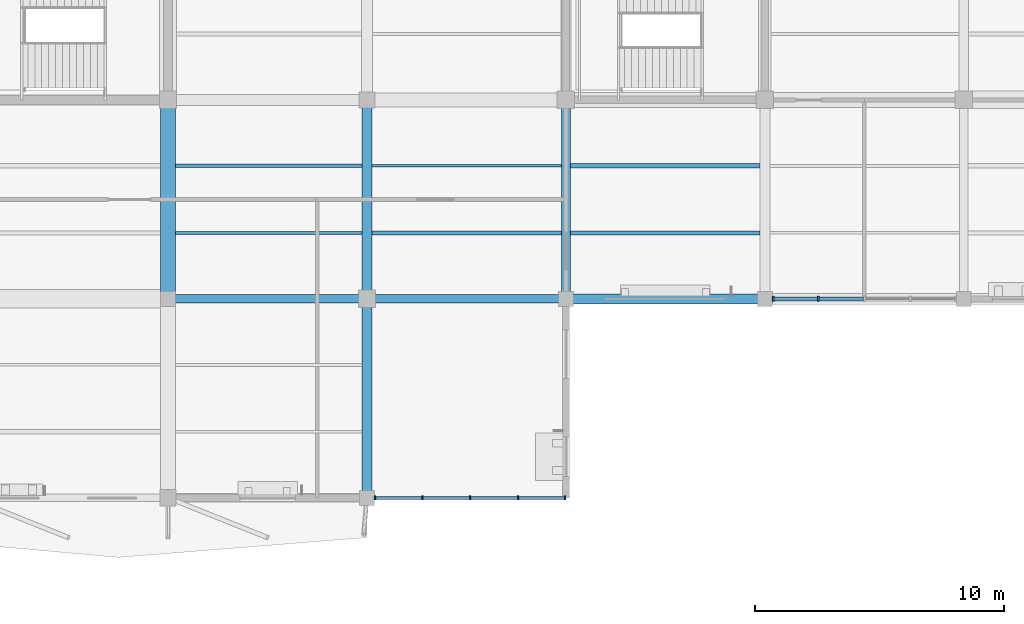
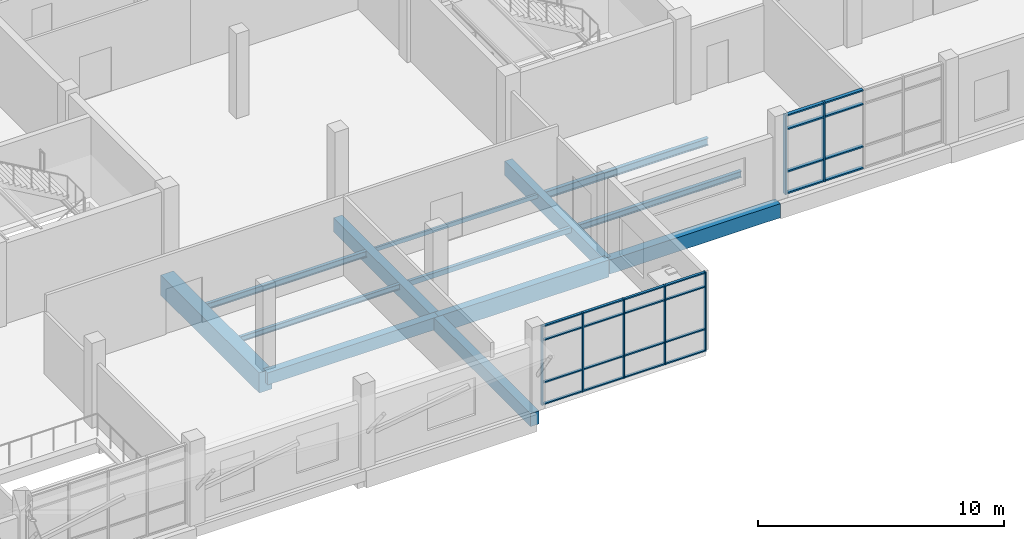
# One storey, part 29 of 84: 31 members, 13 beams, 2 elements without a shape of their own.
"""IFC4 building model written with IfcOpenShell, lengths in metres."""

from ifc_helpers import new_model, si_unit, direction, frame, origin, origin_2d, place, context, subcontext, project, spatial, rectangle, hollow_rectangle, i_section, extrude, material, material_profile, profile_set, type_object, element, aggregate, save


model = new_model("IFC4")

# Units and contexts
model_context = context("Model", 3, precision=1e-05, world=origin(), true_north=direction((0.0, 1.0)))
body_context = subcontext(model_context, "Body", "Model", "MODEL_VIEW")
ifc_project = project(units=[si_unit("LENGTHUNIT", "METRE"), si_unit("AREAUNIT", "SQUARE_METRE"), si_unit("VOLUMEUNIT", "CUBIC_METRE"), si_unit("PLANEANGLEUNIT", "RADIAN"), si_unit("MASSUNIT", "GRAM", prefix="KILO")], contexts=[model_context])

# Site, building, storey
site_placement = place(None, origin())
site = spatial("IfcSite", under=ifc_project, at=site_placement, CompositionType="ELEMENT")
building_placement = place(site_placement, origin())
building = spatial("IfcBuilding", under=site, at=building_placement, Name="Tenunan Teduh Sports Hall", CompositionType="ELEMENT")
storey_placement = place(building_placement, frame((0.0, 0.0, 10.800048828125)))
storey = spatial("IfcBuildingStorey", under=building, at=storey_placement, Name="L02", CompositionType="ELEMENT", Elevation=10.800048828125)

# Beams
ifc_material_1 = material(Name="Concrete C40/50", Category="concrete")
ifc_material_profile_1 = material_profile(ifc_material_1, rectangle(XDim=0.35009765625, YDim=0.60009765625, at=origin_2d()), Name="RCB 350x600")
ifc_profile_set_1 = profile_set([ifc_material_profile_1], Name="Concrete C40/50")
beam_type_1 = type_object("IfcBeamType", Name="BM-RC-350x600", PredefinedType="BEAM", material=ifc_profile_set_1)
beam_1_placement = place(storey_placement, frame((38.0, 86.0, -0.56005859375), z_axis=(1.0, 0.0, 0.0), x_axis=(0.0, 1.0, 0.0)))
element("IfcBeam", 1, at=beam_1_placement, inside=storey, type_object=beam_type_1, Name="BM-B-04-L02-1495", PredefinedType="BEAM", context=body_context, shape_type="SweptSolid", body=[
    extrude(rectangle(XDim=0.35009765625, YDim=0.60009765625, at=origin_2d()), origin(), (0.0, 0.0, 1.0), 8.0),
])
ifc_material_2 = material(Name="Concrete C40/50", Category="concrete")
ifc_material_profile_2 = material_profile(ifc_material_2, rectangle(XDim=0.39990234375, YDim=0.64990234375, at=origin_2d()), Name="RCB 400x650")
ifc_profile_set_2 = profile_set([ifc_material_profile_2], Name="Concrete C40/50")
beam_type_2 = type_object("IfcBeamType", Name="BM-RC-400x650", PredefinedType="BEAM", material=ifc_profile_set_2)
beam_2_placement = place(storey_placement, frame((46.0, 78.0, -0.5849609375), z_axis=(0.0, 1.0, 0.0), x_axis=(-1.0, 0.0, 0.0)))
element("IfcBeam", 2, at=beam_2_placement, inside=storey, type_object=beam_type_2, Name="BM-B-07-L02-1603", PredefinedType="BEAM", context=body_context, shape_type="SweptSolid", body=[
    extrude(rectangle(XDim=0.39990234375, YDim=0.64990234375, at=origin_2d()), origin(), (0.0, 0.0, 1.0), 8.0),
])
ifc_material_3 = material(Name="Concrete C40/50", Category="concrete")
ifc_material_profile_3 = material_profile(ifc_material_3, rectangle(XDim=0.39990234375, YDim=0.699951171875, at=origin_2d()), Name="RCB 400x700")
ifc_profile_set_3 = profile_set([ifc_material_profile_3], Name="Concrete C40/50")
beam_type_3 = type_object("IfcBeamType", Name="BM-RC-400x700", PredefinedType="BEAM", material=ifc_profile_set_3)
for number, where, z_axis, x_axis, name in (
    (3, (54.0, 86.0, -0.610107421875), (1.0, 0.0, 0.0), (0.0, 1.0, 0.0), "BM-B-08-L02-1497"),
    (4, (46.0, 86.0, -0.610107421875), (0.0, 1.0, 0.0), (-1.0, 0.0, 0.0), "BM-B-08-L02-1604"),
):
    element("IfcBeam", number, at=place(storey_placement, frame(where, z_axis=z_axis, x_axis=x_axis)), inside=storey, type_object=beam_type_3, Name=name, PredefinedType="BEAM", context=body_context, shape_type="SweptSolid", body=[
        extrude(rectangle(XDim=0.39990234375, YDim=0.699951171875, at=origin_2d()), origin(), (0.0, 0.0, 1.0), 8.0),
    ])
ifc_material_4 = material(Name="Concrete C40/50", Category="concrete")
ifc_material_profile_4 = material_profile(ifc_material_4, rectangle(XDim=0.60009765625, YDim=1.0, at=origin_2d()), Name="RCB 600x1000")
ifc_profile_set_4 = profile_set([ifc_material_profile_4], Name="Concrete C40/50")
beam_type_4 = type_object("IfcBeamType", Name="BM-RC-600x1000", PredefinedType="BEAM", material=ifc_profile_set_4)
beam_3_placement = place(storey_placement, frame((38.0, 86.0, -0.760009765625), z_axis=(0.0, 1.0, 0.0), x_axis=(-1.0, 0.0, 0.0)))
element("IfcBeam", 5, at=beam_3_placement, inside=storey, type_object=beam_type_4, Name="BM-B-18-L02-1599", PredefinedType="BEAM", context=body_context, shape_type="SweptSolid", body=[
    extrude(rectangle(XDim=0.60009765625, YDim=1.0, at=origin_2d()), origin(), (0.0, 0.0, 1.0), 8.0),
])
ifc_material_5 = material(Name="Concrete C40/50", Category="concrete")
ifc_material_profile_5 = material_profile(ifc_material_5, rectangle(XDim=0.35009765625, YDim=0.85009765625, at=origin_2d()), Name="SPB 350x850")
ifc_profile_set_5 = profile_set([ifc_material_profile_5], Name="Concrete C40/50")
beam_type_5 = type_object("IfcBeamType", Name="BM-SP-350x850", PredefinedType="SPANDREL", material=ifc_profile_set_5)
beam_4_placement = place(storey_placement, frame((46.0, 86.0, -0.68505859375), z_axis=(1.0, 0.0, 0.0), x_axis=(0.0, 1.0, 0.0)))
element("IfcBeam", 6, at=beam_4_placement, inside=storey, type_object=beam_type_5, Name="BM-SP-02-L02-1496", PredefinedType="SPANDREL", context=body_context, shape_type="SweptSolid", body=[
    extrude(rectangle(XDim=0.35009765625, YDim=0.85009765625, at=origin_2d()), origin(), (0.0, 0.0, 1.0), 8.0),
])
ifc_material_6 = material(Name="Concrete C40/50", Category="concrete")
ifc_material_profile_6 = material_profile(ifc_material_6, rectangle(XDim=0.35009765625, YDim=0.719970703125, at=origin_2d()), Name="TB 350x720")
ifc_profile_set_6 = profile_set([ifc_material_profile_6], Name="Concrete C40/50")
beam_type_6 = type_object("IfcBeamType", Name="BM-TB-350x720", PredefinedType="T_BEAM", material=ifc_profile_set_6)
beam_5_placement = place(storey_placement, frame((54.0, 86.0, -0.6201171875), z_axis=(0.0, 1.0, 0.0), x_axis=(-1.0, 0.0, 0.0)))
element("IfcBeam", 7, at=beam_5_placement, inside=storey, type_object=beam_type_6, Name="BM-TB-01-L02-1608", PredefinedType="T_BEAM", context=body_context, shape_type="SweptSolid", body=[
    extrude(rectangle(XDim=0.35009765625, YDim=0.719970703125, at=origin_2d()), origin(), (0.0, 0.0, 1.0), 8.0),
])

# Curtain wall, members
ifc_material_7 = material(Name="Anodised aluminium", Category="aluminium")
curtain_wall_type = type_object("IfcCurtainWallType", Name="CW-UNIT-2", PredefinedType="NOTDEFINED", material=ifc_material_7)
curtain_wall_1_placement = place(storey_placement, origin())
curtain_wall_1 = element("IfcCurtainWall", 8, at=curtain_wall_1_placement, inside=storey, type_object=curtain_wall_type, Name="CW-CWM-150-L02-211", PredefinedType="NOTDEFINED")
ifc_material_8 = material(Name="Anodised aluminium", Category="aluminium")
ifc_material_profile_7 = material_profile(ifc_material_8, rectangle(XDim=0.06005859375, YDim=0.14990234375, at=origin_2d()), Name="CWM 60x150")
ifc_profile_set_7 = profile_set([ifc_material_profile_7], Name="Anodised aluminium")
member_type_1 = type_object("IfcMemberType", Name="CWM-150", PredefinedType="MULLION", material=ifc_profile_set_7)
member_1_placement = place(storey_placement, frame((46.330078125, 78.0, 0.0), z_axis=(0.0, 0.0, 1.0), x_axis=(1.0, 0.0, 0.0)))
member_1 = element("IfcMember", 9, at=member_1_placement, type_object=member_type_1, Name="CW-02 mullion 1", PredefinedType="MULLION", context=body_context, shape_type="SweptSolid", body=[
    extrude(rectangle(XDim=0.06005859375, YDim=0.14990234375, at=origin_2d()), origin(), (0.0, 0.0, 1.0), 3.919921875),
])
member_2_placement = place(storey_placement, frame((48.22509765625, 78.0, 0.0), z_axis=(0.0, 0.0, 1.0), x_axis=(1.0, 0.0, 0.0)))
member_2 = element("IfcMember", 10, at=member_2_placement, type_object=member_type_1, Name="CW-02 mullion 2", PredefinedType="MULLION", context=body_context, shape_type="SweptSolid", body=[
    extrude(rectangle(XDim=0.06005859375, YDim=0.14990234375, at=origin_2d()), origin(), (0.0, 0.0, 1.0), 3.919921875),
])
member_3_placement = place(storey_placement, frame((50.14990234375, 78.0, 0.0), z_axis=(0.0, 0.0, 1.0), x_axis=(1.0, 0.0, 0.0)))
member_3 = element("IfcMember", 11, at=member_3_placement, type_object=member_type_1, Name="CW-02 mullion 3", PredefinedType="MULLION", context=body_context, shape_type="SweptSolid", body=[
    extrude(rectangle(XDim=0.06005859375, YDim=0.14990234375, at=origin_2d()), origin(), (0.0, 0.0, 1.0), 3.919921875),
])
member_4_placement = place(storey_placement, frame((52.074951171875, 78.0, 0.0), z_axis=(0.0, 0.0, 1.0), x_axis=(1.0, 0.0, 0.0)))
member_4 = element("IfcMember", 12, at=member_4_placement, type_object=member_type_1, Name="CW-02 mullion 4", PredefinedType="MULLION", context=body_context, shape_type="SweptSolid", body=[
    extrude(rectangle(XDim=0.06005859375, YDim=0.14990234375, at=origin_2d()), origin(), (0.0, 0.0, 1.0), 3.919921875),
])
member_5_placement = place(storey_placement, frame((53.969970703125, 78.0, 0.0), z_axis=(0.0, 0.0, 1.0), x_axis=(1.0, 0.0, 0.0)))
member_5 = element("IfcMember", 13, at=member_5_placement, type_object=member_type_1, Name="CW-02 mullion 5", PredefinedType="MULLION", context=body_context, shape_type="SweptSolid", body=[
    extrude(rectangle(XDim=0.06005859375, YDim=0.14990234375, at=origin_2d()), origin(), (0.0, 0.0, 1.0), 3.919921875),
])

curtain_wall_2_placement = place(storey_placement, origin())
curtain_wall_2 = element("IfcCurtainWall", 14, at=curtain_wall_2_placement, inside=storey, type_object=curtain_wall_type, Name="CW-CWM-200-L02-212", PredefinedType="NOTDEFINED")
ifc_material_9 = material(Name="Anodised aluminium", Category="aluminium")
ifc_material_profile_8 = material_profile(ifc_material_9, rectangle(XDim=0.070068359375, YDim=0.199951171875, at=origin_2d()), Name="CWM 70x200")
ifc_profile_set_8 = profile_set([ifc_material_profile_8], Name="Anodised aluminium")
member_type_2 = type_object("IfcMemberType", Name="CWM-200", PredefinedType="MULLION", material=ifc_profile_set_8)
member_6_placement = place(storey_placement, frame((62.3349609375, 86.0, 0.0), z_axis=(0.0, 0.0, 1.0), x_axis=(1.0, 0.0, 0.0)))
member_6 = element("IfcMember", 15, at=member_6_placement, type_object=member_type_2, Name="CW-02 mullion 1", PredefinedType="MULLION", context=body_context, shape_type="SweptSolid", body=[
    extrude(rectangle(XDim=0.070068359375, YDim=0.199951171875, at=origin_2d()), origin(), (0.0, 0.0, 1.0), 3.919921875),
])
member_7_placement = place(storey_placement, frame((64.14990234375, 86.0, 0.0), z_axis=(0.0, 0.0, 1.0), x_axis=(1.0, 0.0, 0.0)))
member_7 = element("IfcMember", 16, at=member_7_placement, type_object=member_type_2, Name="CW-02 mullion 2", PredefinedType="MULLION", context=body_context, shape_type="SweptSolid", body=[
    extrude(rectangle(XDim=0.070068359375, YDim=0.199951171875, at=origin_2d()), origin(), (0.0, 0.0, 1.0), 3.919921875),
])

# Member
ifc_material_10 = material(Name="Anodised aluminium", Category="aluminium")
ifc_material_profile_9 = material_profile(ifc_material_10, rectangle(XDim=0.06005859375, YDim=0.1201171875, at=origin_2d()), Name="CWT 60x120")
ifc_profile_set_9 = profile_set([ifc_material_profile_9], Name="Anodised aluminium")
member_type_3 = type_object("IfcMemberType", Name="CWT-125", PredefinedType="USERDEFINED", material=ifc_profile_set_9)
member_8_placement = place(storey_placement, frame((46.360107421875, 78.0, 0.030029296875), z_axis=(1.0, 0.0, 0.0), x_axis=(0.0, 0.0, 1.0)))
member_8 = element("IfcMember", 17, at=member_8_placement, type_object=member_type_3, Name="CW-02 transom 1.1", ObjectType="TRANSOM", PredefinedType="USERDEFINED", context=body_context, shape_type="SweptSolid", body=[
    extrude(rectangle(XDim=0.06005859375, YDim=0.1201171875, at=origin_2d()), origin(), (0.0, 0.0, 1.0), 1.8349609375),
])

member_9_placement = place(storey_placement, frame((46.360107421875, 78.0, 1.099853515625), z_axis=(1.0, 0.0, 0.0), x_axis=(0.0, 0.0, 1.0)))
member_9 = element("IfcMember", 18, at=member_9_placement, type_object=member_type_3, Name="CW-02 transom 1.2", ObjectType="TRANSOM", PredefinedType="USERDEFINED", context=body_context, shape_type="SweptSolid", body=[
    extrude(rectangle(XDim=0.06005859375, YDim=0.1201171875, at=origin_2d()), origin(), (0.0, 0.0, 1.0), 1.8349609375),
])

member_10_placement = place(storey_placement, frame((46.360107421875, 78.0, 3.199951171875), z_axis=(1.0, 0.0, 0.0), x_axis=(0.0, 0.0, 1.0)))
member_10 = element("IfcMember", 19, at=member_10_placement, type_object=member_type_3, Name="CW-02 transom 1.3", ObjectType="TRANSOM", PredefinedType="USERDEFINED", context=body_context, shape_type="SweptSolid", body=[
    extrude(rectangle(XDim=0.06005859375, YDim=0.1201171875, at=origin_2d()), origin(), (0.0, 0.0, 1.0), 1.8349609375),
])

member_11_placement = place(storey_placement, frame((46.360107421875, 78.0, 3.889892578125), z_axis=(1.0, 0.0, 0.0), x_axis=(0.0, 0.0, 1.0)))
member_11 = element("IfcMember", 20, at=member_11_placement, type_object=member_type_3, Name="CW-02 transom 1.4", ObjectType="TRANSOM", PredefinedType="USERDEFINED", context=body_context, shape_type="SweptSolid", body=[
    extrude(rectangle(XDim=0.06005859375, YDim=0.1201171875, at=origin_2d()), origin(), (0.0, 0.0, 1.0), 1.8349609375),
])

member_12_placement = place(storey_placement, frame((48.2548828125, 78.0, 0.030029296875), z_axis=(1.0, 0.0, 0.0), x_axis=(0.0, 0.0, 1.0)))
member_12 = element("IfcMember", 21, at=member_12_placement, type_object=member_type_3, Name="CW-02 transom 2.1", ObjectType="TRANSOM", PredefinedType="USERDEFINED", context=body_context, shape_type="SweptSolid", body=[
    extrude(rectangle(XDim=0.06005859375, YDim=0.1201171875, at=origin_2d()), origin(), (0.0, 0.0, 1.0), 1.865234375),
])

member_13_placement = place(storey_placement, frame((48.2548828125, 78.0, 1.099853515625), z_axis=(1.0, 0.0, 0.0), x_axis=(0.0, 0.0, 1.0)))
member_13 = element("IfcMember", 22, at=member_13_placement, type_object=member_type_3, Name="CW-02 transom 2.2", ObjectType="TRANSOM", PredefinedType="USERDEFINED", context=body_context, shape_type="SweptSolid", body=[
    extrude(rectangle(XDim=0.06005859375, YDim=0.1201171875, at=origin_2d()), origin(), (0.0, 0.0, 1.0), 1.865234375),
])

member_14_placement = place(storey_placement, frame((48.2548828125, 78.0, 3.199951171875), z_axis=(1.0, 0.0, 0.0), x_axis=(0.0, 0.0, 1.0)))
member_14 = element("IfcMember", 23, at=member_14_placement, type_object=member_type_3, Name="CW-02 transom 2.3", ObjectType="TRANSOM", PredefinedType="USERDEFINED", context=body_context, shape_type="SweptSolid", body=[
    extrude(rectangle(XDim=0.06005859375, YDim=0.1201171875, at=origin_2d()), origin(), (0.0, 0.0, 1.0), 1.865234375),
])

member_15_placement = place(storey_placement, frame((48.2548828125, 78.0, 3.889892578125), z_axis=(1.0, 0.0, 0.0), x_axis=(0.0, 0.0, 1.0)))
member_15 = element("IfcMember", 24, at=member_15_placement, type_object=member_type_3, Name="CW-02 transom 2.4", ObjectType="TRANSOM", PredefinedType="USERDEFINED", context=body_context, shape_type="SweptSolid", body=[
    extrude(rectangle(XDim=0.06005859375, YDim=0.1201171875, at=origin_2d()), origin(), (0.0, 0.0, 1.0), 1.865234375),
])

member_16_placement = place(storey_placement, frame((50.179931640625, 78.0, 0.030029296875), z_axis=(1.0, 0.0, 0.0), x_axis=(0.0, 0.0, 1.0)))
member_16 = element("IfcMember", 25, at=member_16_placement, type_object=member_type_3, Name="CW-02 transom 3.1", ObjectType="TRANSOM", PredefinedType="USERDEFINED", context=body_context, shape_type="SweptSolid", body=[
    extrude(rectangle(XDim=0.06005859375, YDim=0.1201171875, at=origin_2d()), origin(), (0.0, 0.0, 1.0), 1.864990234375),
])

member_17_placement = place(storey_placement, frame((50.179931640625, 78.0, 1.099853515625), z_axis=(1.0, 0.0, 0.0), x_axis=(0.0, 0.0, 1.0)))
member_17 = element("IfcMember", 26, at=member_17_placement, type_object=member_type_3, Name="CW-02 transom 3.2", ObjectType="TRANSOM", PredefinedType="USERDEFINED", context=body_context, shape_type="SweptSolid", body=[
    extrude(rectangle(XDim=0.06005859375, YDim=0.1201171875, at=origin_2d()), origin(), (0.0, 0.0, 1.0), 1.864990234375),
])

member_18_placement = place(storey_placement, frame((50.179931640625, 78.0, 3.199951171875), z_axis=(1.0, 0.0, 0.0), x_axis=(0.0, 0.0, 1.0)))
member_18 = element("IfcMember", 27, at=member_18_placement, type_object=member_type_3, Name="CW-02 transom 3.3", ObjectType="TRANSOM", PredefinedType="USERDEFINED", context=body_context, shape_type="SweptSolid", body=[
    extrude(rectangle(XDim=0.06005859375, YDim=0.1201171875, at=origin_2d()), origin(), (0.0, 0.0, 1.0), 1.864990234375),
])

member_19_placement = place(storey_placement, frame((50.179931640625, 78.0, 3.889892578125), z_axis=(1.0, 0.0, 0.0), x_axis=(0.0, 0.0, 1.0)))
member_19 = element("IfcMember", 28, at=member_19_placement, type_object=member_type_3, Name="CW-02 transom 3.4", ObjectType="TRANSOM", PredefinedType="USERDEFINED", context=body_context, shape_type="SweptSolid", body=[
    extrude(rectangle(XDim=0.06005859375, YDim=0.1201171875, at=origin_2d()), origin(), (0.0, 0.0, 1.0), 1.864990234375),
])

member_20_placement = place(storey_placement, frame((52.10498046875, 78.0, 0.030029296875), z_axis=(1.0, 0.0, 0.0), x_axis=(0.0, 0.0, 1.0)))
member_20 = element("IfcMember", 29, at=member_20_placement, type_object=member_type_3, Name="CW-02 transom 4.1", ObjectType="TRANSOM", PredefinedType="USERDEFINED", context=body_context, shape_type="SweptSolid", body=[
    extrude(rectangle(XDim=0.06005859375, YDim=0.1201171875, at=origin_2d()), origin(), (0.0, 0.0, 1.0), 1.8349609375),
])

member_21_placement = place(storey_placement, frame((52.10498046875, 78.0, 1.099853515625), z_axis=(1.0, 0.0, 0.0), x_axis=(0.0, 0.0, 1.0)))
member_21 = element("IfcMember", 30, at=member_21_placement, type_object=member_type_3, Name="CW-02 transom 4.2", ObjectType="TRANSOM", PredefinedType="USERDEFINED", context=body_context, shape_type="SweptSolid", body=[
    extrude(rectangle(XDim=0.06005859375, YDim=0.1201171875, at=origin_2d()), origin(), (0.0, 0.0, 1.0), 1.8349609375),
])

member_22_placement = place(storey_placement, frame((52.10498046875, 78.0, 3.199951171875), z_axis=(1.0, 0.0, 0.0), x_axis=(0.0, 0.0, 1.0)))
member_22 = element("IfcMember", 31, at=member_22_placement, type_object=member_type_3, Name="CW-02 transom 4.3", ObjectType="TRANSOM", PredefinedType="USERDEFINED", context=body_context, shape_type="SweptSolid", body=[
    extrude(rectangle(XDim=0.06005859375, YDim=0.1201171875, at=origin_2d()), origin(), (0.0, 0.0, 1.0), 1.8349609375),
])

member_23_placement = place(storey_placement, frame((52.10498046875, 78.0, 3.889892578125), z_axis=(1.0, 0.0, 0.0), x_axis=(0.0, 0.0, 1.0)))
member_23 = element("IfcMember", 32, at=member_23_placement, type_object=member_type_3, Name="CW-02 transom 4.4", ObjectType="TRANSOM", PredefinedType="USERDEFINED", context=body_context, shape_type="SweptSolid", body=[
    extrude(rectangle(XDim=0.06005859375, YDim=0.1201171875, at=origin_2d()), origin(), (0.0, 0.0, 1.0), 1.8349609375),
])

aggregate(curtain_wall_1, [member_1, member_2, member_3, member_4, member_5, member_8, member_9, member_10, member_11, member_12, member_13, member_14, member_15, member_16, member_17, member_18, member_19, member_20, member_21, member_22, member_23])

ifc_material_11 = material(Name="Anodised aluminium", Category="aluminium")
ifc_material_profile_10 = material_profile(ifc_material_11, rectangle(XDim=0.070068359375, YDim=0.159912109375, at=origin_2d()), Name="CWT 70x160")
ifc_profile_set_10 = profile_set([ifc_material_profile_10], Name="Anodised aluminium")
member_type_4 = type_object("IfcMemberType", Name="CWT-200", PredefinedType="USERDEFINED", material=ifc_profile_set_10)
member_24_placement = place(storey_placement, frame((62.3701171875, 86.0, 0.034912109375), z_axis=(1.0, 0.0, 0.0), x_axis=(0.0, 0.0, 1.0)))
member_24 = element("IfcMember", 33, at=member_24_placement, type_object=member_type_4, Name="CW-02 transom 1.1", ObjectType="TRANSOM", PredefinedType="USERDEFINED", context=body_context, shape_type="SweptSolid", body=[
    extrude(rectangle(XDim=0.070068359375, YDim=0.159912109375, at=origin_2d()), origin(), (0.0, 0.0, 1.0), 1.744873046875),
])

member_25_placement = place(storey_placement, frame((62.3701171875, 86.0, 1.099853515625), z_axis=(1.0, 0.0, 0.0), x_axis=(0.0, 0.0, 1.0)))
member_25 = element("IfcMember", 34, at=member_25_placement, type_object=member_type_4, Name="CW-02 transom 1.2", ObjectType="TRANSOM", PredefinedType="USERDEFINED", context=body_context, shape_type="SweptSolid", body=[
    extrude(rectangle(XDim=0.070068359375, YDim=0.159912109375, at=origin_2d()), origin(), (0.0, 0.0, 1.0), 1.744873046875),
])

member_26_placement = place(storey_placement, frame((62.3701171875, 86.0, 3.199951171875), z_axis=(1.0, 0.0, 0.0), x_axis=(0.0, 0.0, 1.0)))
member_26 = element("IfcMember", 35, at=member_26_placement, type_object=member_type_4, Name="CW-02 transom 1.3", ObjectType="TRANSOM", PredefinedType="USERDEFINED", context=body_context, shape_type="SweptSolid", body=[
    extrude(rectangle(XDim=0.070068359375, YDim=0.159912109375, at=origin_2d()), origin(), (0.0, 0.0, 1.0), 1.744873046875),
])

member_27_placement = place(storey_placement, frame((62.3701171875, 86.0, 3.885009765625), z_axis=(1.0, 0.0, 0.0), x_axis=(0.0, 0.0, 1.0)))
member_27 = element("IfcMember", 36, at=member_27_placement, type_object=member_type_4, Name="CW-02 transom 1.4", ObjectType="TRANSOM", PredefinedType="USERDEFINED", context=body_context, shape_type="SweptSolid", body=[
    extrude(rectangle(XDim=0.070068359375, YDim=0.159912109375, at=origin_2d()), origin(), (0.0, 0.0, 1.0), 1.744873046875),
])

member_28_placement = place(storey_placement, frame((64.18505859375, 86.0, 0.034912109375), z_axis=(1.0, 0.0, 0.0), x_axis=(0.0, 0.0, 1.0)))
member_28 = element("IfcMember", 37, at=member_28_placement, type_object=member_type_4, Name="CW-02 transom 2.1", ObjectType="TRANSOM", PredefinedType="USERDEFINED", context=body_context, shape_type="SweptSolid", body=[
    extrude(rectangle(XDim=0.070068359375, YDim=0.159912109375, at=origin_2d()), origin(), (0.0, 0.0, 1.0), 1.780029296875),
])

member_29_placement = place(storey_placement, frame((64.18505859375, 86.0, 1.099853515625), z_axis=(1.0, 0.0, 0.0), x_axis=(0.0, 0.0, 1.0)))
member_29 = element("IfcMember", 38, at=member_29_placement, type_object=member_type_4, Name="CW-02 transom 2.2", ObjectType="TRANSOM", PredefinedType="USERDEFINED", context=body_context, shape_type="SweptSolid", body=[
    extrude(rectangle(XDim=0.070068359375, YDim=0.159912109375, at=origin_2d()), origin(), (0.0, 0.0, 1.0), 1.780029296875),
])

member_30_placement = place(storey_placement, frame((64.18505859375, 86.0, 3.199951171875), z_axis=(1.0, 0.0, 0.0), x_axis=(0.0, 0.0, 1.0)))
member_30 = element("IfcMember", 39, at=member_30_placement, type_object=member_type_4, Name="CW-02 transom 2.3", ObjectType="TRANSOM", PredefinedType="USERDEFINED", context=body_context, shape_type="SweptSolid", body=[
    extrude(rectangle(XDim=0.070068359375, YDim=0.159912109375, at=origin_2d()), origin(), (0.0, 0.0, 1.0), 1.780029296875),
])

member_31_placement = place(storey_placement, frame((64.18505859375, 86.0, 3.885009765625), z_axis=(1.0, 0.0, 0.0), x_axis=(0.0, 0.0, 1.0)))
member_31 = element("IfcMember", 40, at=member_31_placement, type_object=member_type_4, Name="CW-02 transom 2.4", ObjectType="TRANSOM", PredefinedType="USERDEFINED", context=body_context, shape_type="SweptSolid", body=[
    extrude(rectangle(XDim=0.070068359375, YDim=0.159912109375, at=origin_2d()), origin(), (0.0, 0.0, 1.0), 1.780029296875),
])

aggregate(curtain_wall_2, [member_6, member_7, member_24, member_25, member_26, member_27, member_28, member_29, member_30, member_31])

# Beams
ifc_material_12 = material(Name="Steel S355", Category="steel")
ifc_material_profile_11 = material_profile(ifc_material_12, i_section(OverallWidth=0.135009765625, OverallDepth=0.27001953125, WebThickness=0.006591796875, FlangeThickness=0.01025390625, FilletRadius=0.014892578125, at=origin_2d()), Name="IPE 270")
ifc_profile_set_11 = profile_set([ifc_material_profile_11], Name="Steel S355")
beam_type_7 = type_object("IfcBeamType", Name="JST-IPE270", PredefinedType="JOIST", material=ifc_profile_set_11)
beam_6_placement = place(storey_placement, frame((38.300048828125, 88.64990234375, -0.39501953125), z_axis=(1.0, 0.0, 0.0), x_axis=(0.0, 1.0, 0.0)))
element("IfcBeam", 41, at=beam_6_placement, inside=storey, type_object=beam_type_7, Name="BM-J-03-L02-1716", PredefinedType="JOIST", context=body_context, shape_type="SweptSolid", body=[
    extrude(i_section(OverallWidth=0.135009765625, OverallDepth=0.27001953125, WebThickness=0.006591796875, FlangeThickness=0.01025390625, FilletRadius=0.014892578125, at=origin_2d()), origin(), (0.0, 0.0, 1.0), 7.5),
])
ifc_material_13 = material(Name="Steel S355", Category="steel")
ifc_material_profile_12 = material_profile(ifc_material_13, i_section(OverallWidth=0.14990234375, OverallDepth=0.300048828125, WebThickness=0.007080078125, FlangeThickness=0.0107421875, FilletRadius=0.014892578125, at=origin_2d()), Name="IPE 300")
ifc_profile_set_12 = profile_set([ifc_material_profile_12], Name="Steel S355")
beam_type_8 = type_object("IfcBeamType", Name="JST-IPE300", PredefinedType="JOIST", material=ifc_profile_set_12)
beam_7_placement = place(storey_placement, frame((38.300048828125, 91.35009765625, -0.41015625), z_axis=(1.0, 0.0, 0.0), x_axis=(0.0, 1.0, 0.0)))
element("IfcBeam", 42, at=beam_7_placement, inside=storey, type_object=beam_type_8, Name="BM-J-04-L02-1717", PredefinedType="JOIST", context=body_context, shape_type="SweptSolid", body=[
    extrude(i_section(OverallWidth=0.14990234375, OverallDepth=0.300048828125, WebThickness=0.007080078125, FlangeThickness=0.0107421875, FilletRadius=0.014892578125, at=origin_2d()), origin(), (0.0, 0.0, 1.0), 7.5),
])
ifc_material_14 = material(Name="Steel S355", Category="steel")
ifc_material_profile_13 = material_profile(ifc_material_14, hollow_rectangle(XDim=0.10009765625, YDim=0.199951171875, WallThickness=0.008056640625, at=origin_2d()), Name="RHS 200x100x8.0")
ifc_profile_set_13 = profile_set([ifc_material_profile_13], Name="Steel S355")
beam_type_9 = type_object("IfcBeamType", Name="RBM-RHS200", PredefinedType="JOIST", material=ifc_profile_set_13)
beam_8_placement = place(storey_placement, frame((46.199951171875, 91.35009765625, -0.360107421875), z_axis=(1.0, 0.0, 0.0), x_axis=(0.0, 1.0, 0.0)))
element("IfcBeam", 43, at=beam_8_placement, inside=storey, type_object=beam_type_9, Name="Perimeter Ring Beam BM-RB-05-L02-1725", PredefinedType="JOIST", context=body_context, shape_type="SweptSolid", body=[
    extrude(hollow_rectangle(XDim=0.10009765625, YDim=0.199951171875, WallThickness=0.008056640625, at=origin_2d()), origin(), (0.0, 0.0, 1.0), 7.625),
])
ifc_material_15 = material(Name="Steel S355", Category="steel")
ifc_material_profile_14 = material_profile(ifc_material_15, hollow_rectangle(XDim=0.14990234375, YDim=0.25, WallThickness=0.010009765625, at=origin_2d()), Name="RHS 250x150x10.0")
ifc_profile_set_14 = profile_set([ifc_material_profile_14], Name="Steel S355")
beam_type_10 = type_object("IfcBeamType", Name="RBM-RHS250", PredefinedType="BEAM", material=ifc_profile_set_14)
beam_9_placement = place(storey_placement, frame((46.199951171875, 88.64990234375, -0.385009765625), z_axis=(1.0, 0.0, 0.0), x_axis=(0.0, 1.0, 0.0)))
element("IfcBeam", 44, at=beam_9_placement, inside=storey, type_object=beam_type_10, Name="Perimeter Ring Beam BM-RB-04-L02-1724", PredefinedType="BEAM", context=body_context, shape_type="SweptSolid", body=[
    extrude(hollow_rectangle(XDim=0.14990234375, YDim=0.25, WallThickness=0.010009765625, at=origin_2d()), origin(), (0.0, 0.0, 1.0), 7.625),
])
ifc_material_16 = material(Name="Steel S355", Category="steel")
ifc_material_profile_15 = material_profile(ifc_material_16, i_section(OverallWidth=0.1650390625, OverallDepth=0.303466796875, WebThickness=0.006103515625, FlangeThickness=0.01025390625, FilletRadius=0.0087890625, at=origin_2d()), Name="UKB 305x165x40")
ifc_profile_set_15 = profile_set([ifc_material_profile_15], Name="Steel S355")
beam_type_11 = type_object("IfcBeamType", Name="SBM-UKB305", PredefinedType="BEAM", material=ifc_profile_set_15)
beam_10_placement = place(storey_placement, frame((54.175048828125, 88.64990234375, -0.411865234375), z_axis=(1.0, 0.0, 0.0), x_axis=(0.0, 1.0, 0.0)))
element("IfcBeam", 45, at=beam_10_placement, inside=storey, type_object=beam_type_11, Name="BM-SB-01-L02-1732", PredefinedType="BEAM", context=body_context, shape_type="SweptSolid", body=[
    extrude(i_section(OverallWidth=0.1650390625, OverallDepth=0.303466796875, WebThickness=0.006103515625, FlangeThickness=0.01025390625, FilletRadius=0.0087890625, at=origin_2d()), origin(), (0.0, 0.0, 1.0), 7.625),
])
ifc_material_17 = material(Name="Steel S355", Category="steel")
ifc_material_profile_16 = material_profile(ifc_material_17, i_section(OverallWidth=0.17138671875, OverallDepth=0.35498046875, WebThickness=0.00732421875, FlangeThickness=0.011474609375, FilletRadius=0.01025390625, at=origin_2d()), Name="UKB 356x171x51")
ifc_profile_set_16 = profile_set([ifc_material_profile_16], Name="Steel S355")
beam_type_12 = type_object("IfcBeamType", Name="SBM-UKB356", PredefinedType="BEAM", material=ifc_profile_set_16)
beam_11_placement = place(storey_placement, frame((54.175048828125, 91.35009765625, -0.4375), z_axis=(1.0, 0.0, 0.0), x_axis=(0.0, 1.0, 0.0)))
element("IfcBeam", 46, at=beam_11_placement, inside=storey, type_object=beam_type_12, Name="BM-SB-02-L02-1733", PredefinedType="BEAM", context=body_context, shape_type="SweptSolid", body=[
    extrude(i_section(OverallWidth=0.17138671875, OverallDepth=0.35498046875, WebThickness=0.00732421875, FlangeThickness=0.011474609375, FilletRadius=0.01025390625, at=origin_2d()), origin(), (0.0, 0.0, 1.0), 7.625),
])

save(model, "model.ifc")
